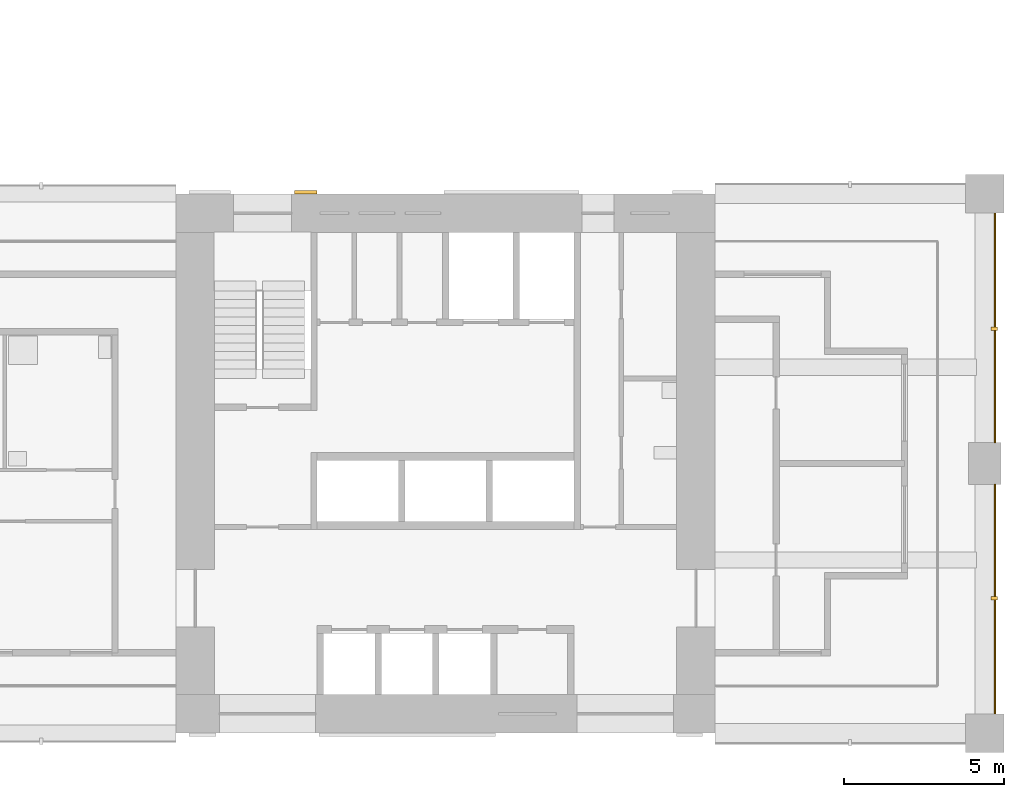
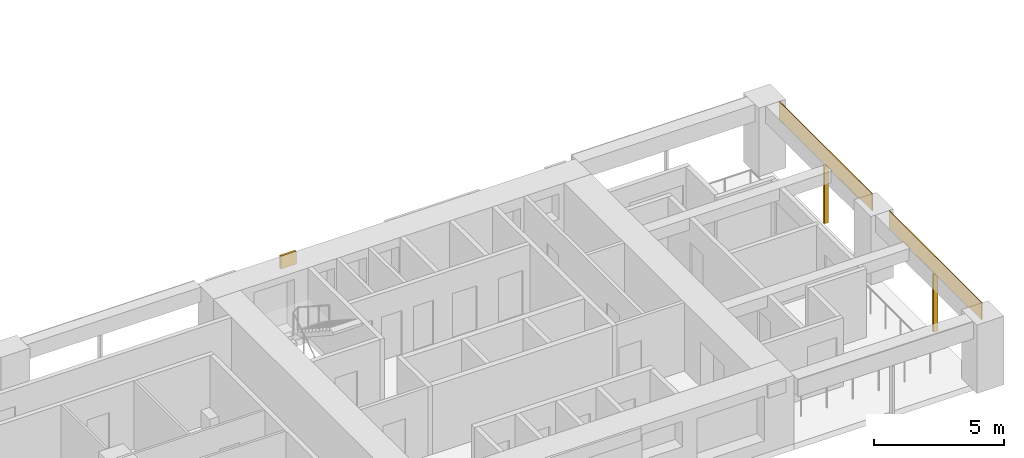
# One storey, part 15 of 17: 5 shading devices.
"""IFC4 building model written with IfcOpenShell, lengths in metres."""

from ifc_helpers import new_model, si_unit, direction, frame, origin, origin_2d, place, context, subcontext, project, spatial, rectangle, extrude, material, layer, layer_set, material_profile, profile_set, type_object, element, save


model = new_model("IFC4")

# Units and contexts
model_context = context("Model", 3, precision=1e-05, world=origin(), true_north=direction((0.0, 1.0)))
body_context = subcontext(model_context, "Body", "Model", "MODEL_VIEW")
ifc_project = project(units=[si_unit("LENGTHUNIT", "METRE"), si_unit("AREAUNIT", "SQUARE_METRE"), si_unit("VOLUMEUNIT", "CUBIC_METRE"), si_unit("PLANEANGLEUNIT", "RADIAN"), si_unit("MASSUNIT", "GRAM", prefix="KILO")], contexts=[model_context])

# Site, building, storey
site_placement = place(None, origin())
site = spatial("IfcSite", under=ifc_project, at=site_placement, CompositionType="ELEMENT")
building_placement = place(site_placement, origin())
building = spatial("IfcBuilding", under=site, at=building_placement, Name="Vermilion Gate Residences", CompositionType="ELEMENT")
storey_placement = place(building_placement, frame((0.0, 0.0, 116.199951171875)))
storey = spatial("IfcBuildingStorey", under=building, at=storey_placement, Name="L29", CompositionType="ELEMENT", Elevation=116.199951171875)

# Shading devices
ifc_material_1 = material(Name="Perforated terracotta", Category="masonry")
ifc_layer_1 = layer(ifc_material_1, 0.0400390625)
ifc_layer_set_1 = layer_set([ifc_layer_1], Name="PERFORATED TERRACOTTA SCREEN 40")
shading_device_type_1 = type_object("IfcShadingDeviceType", Name="PERFORATED TERRACOTTA SCREEN 40", PredefinedType="SHUTTER", material=ifc_layer_set_1)
for number, where, z_axis, x_axis, name in (
    (1, (67.52001953125, 12.574951171875, 2.419921875), (0.0, 0.0, 1.0), (0.0, 1.0, 0.0), "SCREEN"),
    (2, (67.52001953125, 21.02490234375, 2.419921875), (0.0, 0.0, 1.0), (0.0, 1.0, 0.0), "SCREEN"),
):
    element("IfcShadingDevice", number, at=place(storey_placement, frame(where, z_axis=z_axis, x_axis=x_axis)), inside=storey, type_object=shading_device_type_1, Name=name, PredefinedType="SHUTTER", context=body_context, shape_type="SweptSolid", body=[
        extrude(rectangle(XDim=7.14990234375, YDim=0.0400390625, at=origin_2d()), origin(), (0.0, 0.0, 1.0), 0.800048828125),
    ])
ifc_material_2 = material(Name="Extruded terracotta", Category="masonry")
ifc_material_profile = material_profile(ifc_material_2, rectangle(XDim=0.199951171875, YDim=0.10009765625, at=origin_2d()), Name="BAGUETTE 100 X 200")
ifc_profile_set = profile_set([ifc_material_profile], Name="Extruded terracotta")
shading_device_type_2 = type_object("IfcShadingDeviceType", Name="TERRACOTTA BAGUETTE 100 X 200", PredefinedType="JALOUSIE", material=ifc_profile_set)
for number, where, z_axis, x_axis, name in (
    (3, (67.5, 12.60009765625, -0.280029296875), (0.0, 0.0, 1.0), (-1.0, 0.0, 0.0), "BAGUETTE"),
    (4, (67.5, 21.0, -0.280029296875), (0.0, 0.0, 1.0), (-1.0, 0.0, 0.0), "BAGUETTE"),
):
    element("IfcShadingDevice", number, at=place(storey_placement, frame(where, z_axis=z_axis, x_axis=x_axis)), inside=storey, type_object=shading_device_type_2, Name=name, PredefinedType="JALOUSIE", context=body_context, shape_type="SweptSolid", body=[
        extrude(rectangle(XDim=0.199951171875, YDim=0.10009765625, at=origin_2d()), origin(), (0.0, 0.0, 1.0), 2.7001953125),
    ])
ifc_material_3 = material(Name="Extruded terracotta", Category="masonry")
ifc_layer_2 = layer(ifc_material_3, 0.10009765625)
ifc_layer_set_2 = layer_set([ifc_layer_2], Name="TERRACOTTA SPANDREL BAND 600 X 100")
shading_device_type_3 = type_object("IfcShadingDeviceType", Name="TERRACOTTA SPANDREL BAND 600 X 100", PredefinedType="USERDEFINED", material=ifc_layer_set_2)
shading_device_placement = place(storey_placement, frame((46.044921875, 25.25, 2.6201171875), z_axis=(0.0, 0.0, 1.0), x_axis=(1.0, 0.0, 0.0)))
element("IfcShadingDevice", 5, at=shading_device_placement, inside=storey, type_object=shading_device_type_3, Name="SPANDREL BAND", ObjectType="BAND", PredefinedType="USERDEFINED", context=body_context, shape_type="SweptSolid", body=[
    extrude(rectangle(XDim=0.68994140625, YDim=0.10009765625, at=origin_2d()), origin(), (0.0, 0.0, 1.0), 0.60009765625),
])

save(model, "model.ifc")
